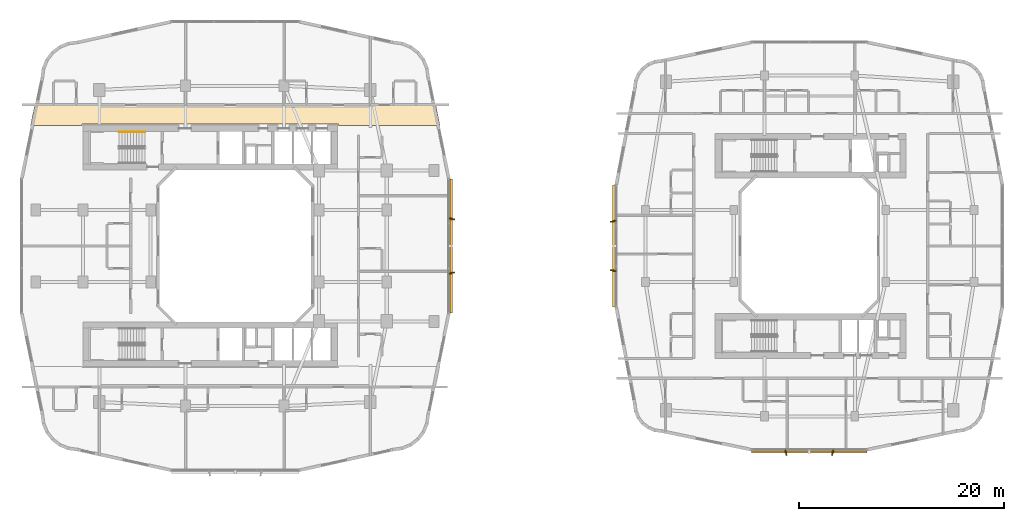
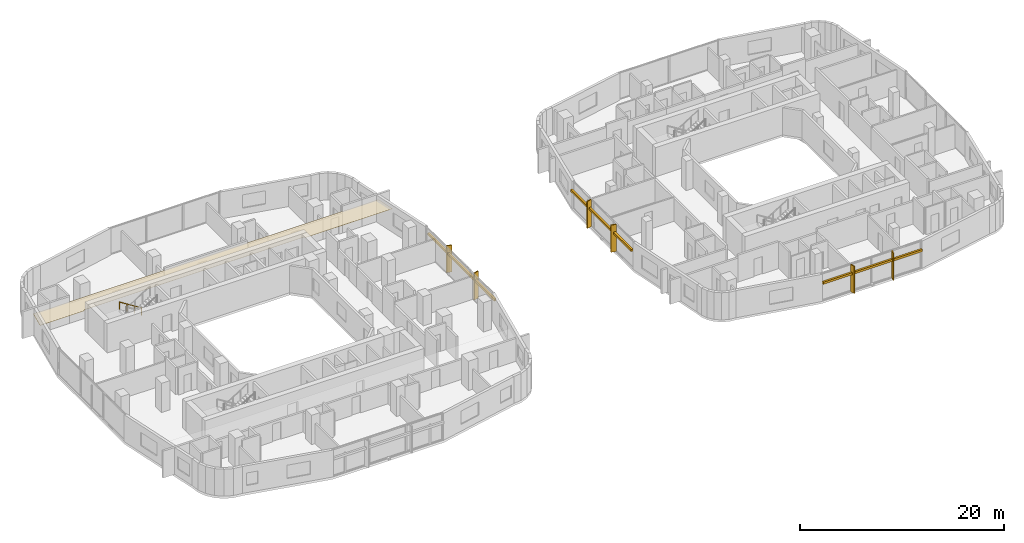
# One storey, part 26 of 27: 9 shading devices, 1 covering, 1 railing.
"""IFC4 building model written with IfcOpenShell, lengths in metres."""

from ifc_helpers import new_model, si_unit, derived_unit, direction, frame, origin, origin_2d, place, context, subcontext, project, spatial, polyline, rectangle, circle, outline, extrude, material, layer, layer_set, type_object, element, save


model = new_model("IFC4")

# Units and contexts
model_context = context("Model", 3, precision=1e-05, world=origin(), true_north=direction((0.0, 1.0)))
body_context = subcontext(model_context, "Body", "Model", "MODEL_VIEW")
ifc_project = project(units=[si_unit("LENGTHUNIT", "METRE"), si_unit("AREAUNIT", "SQUARE_METRE"), si_unit("VOLUMEUNIT", "CUBIC_METRE"), si_unit("PLANEANGLEUNIT", "RADIAN"), si_unit("MASSUNIT", "GRAM", prefix="KILO"), derived_unit("THERMALTRANSMITTANCEUNIT", [(si_unit("POWERUNIT", "WATT"), 1), (si_unit("LENGTHUNIT", "METRE"), -2), (si_unit("THERMODYNAMICTEMPERATUREUNIT", "KELVIN"), -1)])], contexts=[model_context])

# Site, building, storey
site_placement = place(None, origin())
site = spatial("IfcSite", under=ifc_project, at=site_placement, CompositionType="ELEMENT")
building_placement = place(site_placement, origin())
building = spatial("IfcBuilding", under=site, at=building_placement, Name="Kivonza Crest Hotel", CompositionType="ELEMENT")
storey_placement = place(building_placement, frame((0.0, 0.0, 34.5)))
storey = spatial("IfcBuildingStorey", under=building, at=storey_placement, Name="L08", CompositionType="ELEMENT", Elevation=34.5)

# Covering
ifc_material_1 = material(Name="Mineral-fibre acoustic ceiling tile", Category="gypsum")
ifc_layer = layer(ifc_material_1, 0.02490234375)
ifc_layer_set = layer_set([ifc_layer], Name="Mineral-fibre acoustic ceiling tile")
covering_type = type_object("IfcCoveringType", Name="CV-CEIL-ACOU", PredefinedType="CEILING", material=ifc_layer_set)
covering_placement = place(storey_placement, frame((0.0, 0.0, 2.449951171875)))
element("IfcCovering", 1, at=covering_placement, inside=storey, type_object=covering_type, Name="L08 Hotel North Guest Corridor suspended ceiling", PredefinedType="CEILING", context=body_context, shape_type="SweptSolid", body=[
    extrude(outline(polyline([(1.506103515625, 38.7900390625), (1.083984375, 36.719970703125), (6.10009765625, 36.719970703125), (6.10009765625, 36.860107421875), (31.10009765625, 36.860107421875), (31.10009765625, 36.719970703125), (40.99609375, 36.719970703125), (40.573974609375, 38.7900390625), (1.506103515625, 38.7900390625)])), origin(), (0.0, 0.0, 1.0), 0.025146484375),
])

# Railing
ifc_material_2 = material(Name="Brushed stainless steel handrail", Category="steel")
railing_type = type_object("IfcRailingType", Name="RL-HAND-900", PredefinedType="HANDRAIL", material=ifc_material_2)
railing_placement = place(storey_placement, frame((12.239990234375, 36.110107421875, 0.175048828125)))
element("IfcRailing", 2, at=railing_placement, inside=storey, type_object=railing_type, Name="L08 ST-T1-N stair handrail 1", PredefinedType="HANDRAIL", context=body_context, shape_type="SweptSolid", body=[
    extrude(circle(Radius=0.02392578125, at=origin_2d()), frame((0.0, 0.0, 0.8759765625), z_axis=(-0.848007534815, 0.0, 0.529984170421), x_axis=(0.0, -1.0, 0.0)), (0.0, 0.0, 1.0), 2.9716796875),
    extrude(circle(Radius=0.02099609375, at=origin_2d()), origin(), (0.0, 0.0, 1.0), 0.851806640625),
    extrude(circle(Radius=0.02099609375, at=origin_2d()), frame((-0.840087890625, 0.0, 0.52490234375)), (0.0, 0.0, 1.0), 0.851806640625),
    extrude(circle(Radius=0.02099609375, at=origin_2d()), frame((-1.679931640625, 0.0, 1.050048828125)), (0.0, 0.0, 1.0), 0.851806640625),
    extrude(circle(Radius=0.02099609375, at=origin_2d()), frame((-2.52001953125, 0.0, 1.574951171875)), (0.0, 0.0, 1.0), 0.851806640625),
])

# Shading devices
ifc_material_3 = material(Name="Kiln-fired Nairobi red-ochre terracotta", Category="masonry")
shading_device_type_1 = type_object("IfcShadingDeviceType", Name="SH-BAGUETTE-300", PredefinedType="USERDEFINED", material=ifc_material_3)
shading_device_1_placement = place(storey_placement, frame((42.080078125, 25.0, 2.1240234375), z_axis=(0.0, 0.0, 1.0), x_axis=(0.0, 1.0, 0.0)))
element("IfcShadingDevice", 3, at=shading_device_1_placement, inside=storey, type_object=shading_device_type_1, Name="L08 terracotta baguette screen CW-T1-L08-17", ObjectType="BAGUETTE", PredefinedType="USERDEFINED", context=body_context, shape_type="SweptSolid", body=[
    extrude(rectangle(XDim=13.080078125, YDim=0.219970703125, at=origin_2d()), origin(), (0.0, 0.0, 1.0), 0.260009765625),
])
shading_device_2_placement = place(storey_placement, frame((76.9599609375, 4.919921875, 2.14501953125), z_axis=(0.0, 0.0, 1.0), x_axis=(1.0, 0.0, 0.0)))
element("IfcShadingDevice", 4, at=shading_device_2_placement, inside=storey, type_object=shading_device_type_1, Name="L08 terracotta baguette screen CW-T2-L08-08", ObjectType="BAGUETTE", PredefinedType="USERDEFINED", context=body_context, shape_type="SweptSolid", body=[
    extrude(rectangle(XDim=11.256103515625, YDim=0.219970703125, at=origin_2d()), origin(), (0.0, 0.0, 1.0), 0.260009765625),
])
shading_device_3_placement = place(storey_placement, frame((57.919921875, 25.0, 2.14501953125), z_axis=(0.0, 0.0, 1.0), x_axis=(0.0, -1.0, 0.0)))
element("IfcShadingDevice", 5, at=shading_device_3_placement, inside=storey, type_object=shading_device_type_1, Name="L08 terracotta baguette screen CW-T2-L08-35", ObjectType="BAGUETTE", PredefinedType="USERDEFINED", context=body_context, shape_type="SweptSolid", body=[
    extrude(rectangle(XDim=11.8798828125, YDim=0.219970703125, at=origin_2d()), origin(), (0.0, 0.0, 1.0), 0.260009765625),
])
ifc_material_4 = material(Name="Kiln-fired terracotta over extruded aluminium spine", Category="masonry")
shading_device_type_2 = type_object("IfcShadingDeviceType", Name="SH-FIN-550", PredefinedType="USERDEFINED", material=ifc_material_4)
for number, where, z_axis, x_axis, name in (
    (6, (42.139892578125, 22.360107421875, 0.0), (0.0, 0.0, 1.0), (-0.2419218956, 0.970295726276, 0.0), "L08 vertical solar shading fin CW-T1-L08-17-1"),
    (7, (42.139892578125, 27.639892578125, 0.0), (0.0, 0.0, 1.0), (0.2419218956, 0.970295726276, 0.0), "L08 vertical solar shading fin CW-T1-L08-17-2"),
):
    element("IfcShadingDevice", number, at=place(storey_placement, frame(where, z_axis=z_axis, x_axis=x_axis)), inside=storey, type_object=shading_device_type_2, Name=name, ObjectType="FIN", PredefinedType="USERDEFINED", context=body_context, shape_type="SweptSolid", body=[
        extrude(rectangle(XDim=0.1201171875, YDim=0.550048828125, at=origin_2d()), origin(), (0.0, 0.0, 1.0), 3.219970703125),
    ])
for number, where, z_axis, x_axis, name in (
    (8, (74.68505859375, 4.860107421875, 0.0), (0.0, 0.0, 1.0), (0.970295726276, 0.2419218956, 0.0), "L08 vertical solar shading fin CW-T2-L08-08-1"),
    (9, (79.235107421875, 4.860107421875, 0.0), (0.0, 0.0, 1.0), (0.970295726276, -0.2419218956, 0.0), "L08 vertical solar shading fin CW-T2-L08-08-2"),
    (10, (57.860107421875, 27.39990234375, 0.0), (0.0, 0.0, 1.0), (0.2419218956, -0.970295726276, 0.0), "L08 vertical solar shading fin CW-T2-L08-35-1"),
    (11, (57.860107421875, 22.60009765625, 0.0), (0.0, 0.0, 1.0), (-0.2419218956, -0.970295726276, 0.0), "L08 vertical solar shading fin CW-T2-L08-35-2"),
):
    element("IfcShadingDevice", number, at=place(storey_placement, frame(where, z_axis=z_axis, x_axis=x_axis)), inside=storey, type_object=shading_device_type_2, Name=name, ObjectType="FIN", PredefinedType="USERDEFINED", context=body_context, shape_type="SweptSolid", body=[
        extrude(rectangle(XDim=0.1201171875, YDim=0.550048828125, at=origin_2d()), origin(), (0.0, 0.0, 1.0), 3.25),
    ])

save(model, "model.ifc")
